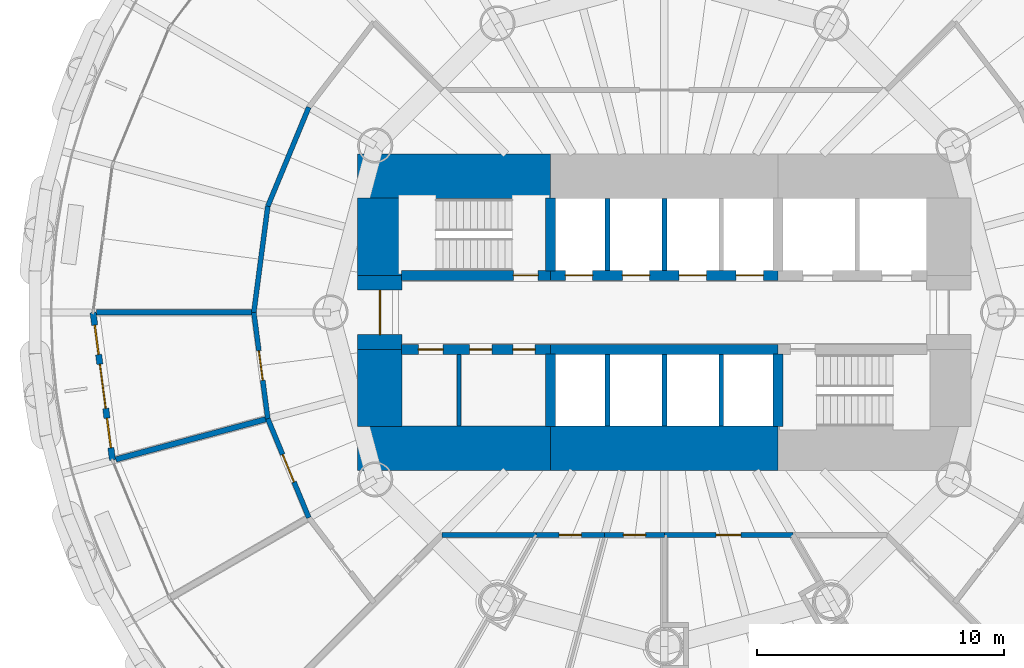
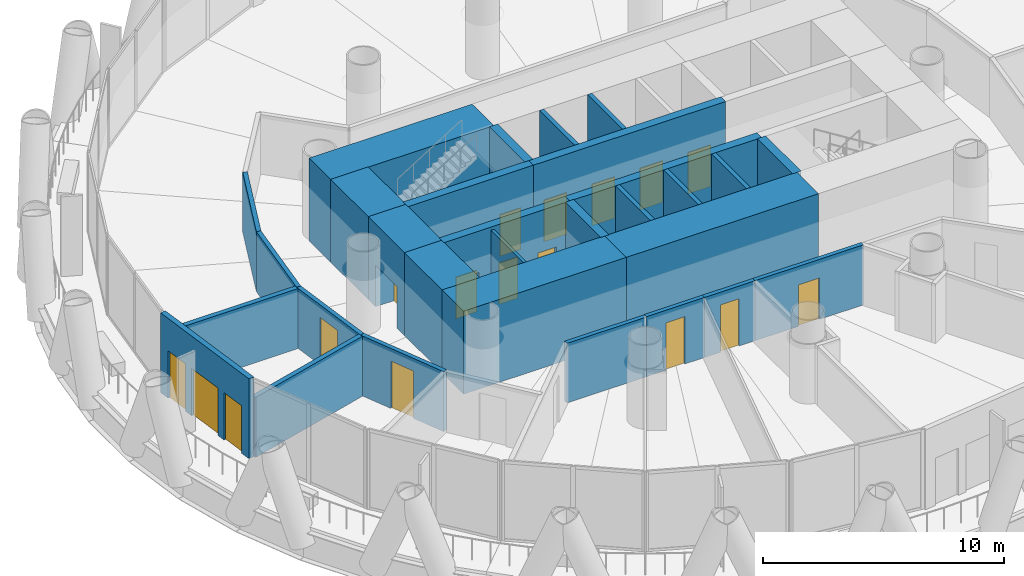
# One storey, part 10 of 16: 30 walls, 15 doors, 2 windows, 17 openings.
"""IFC4 building model written with IfcOpenShell, lengths in metres."""

from ifc_helpers import new_model, si_unit, direction, frame, frame_2d, origin, place, context, subcontext, project, spatial, rectangle, extrude, material, layer, layer_set, type_object, element, fill, save


model = new_model("IFC4")

# Units and contexts
model_context = context("Model", 3, precision=1e-05, world=origin(), true_north=direction((0.0, 1.0)))
body_context = subcontext(model_context, "Body", "Model", "MODEL_VIEW")
ifc_project = project(units=[si_unit("LENGTHUNIT", "METRE"), si_unit("AREAUNIT", "SQUARE_METRE"), si_unit("VOLUMEUNIT", "CUBIC_METRE"), si_unit("PLANEANGLEUNIT", "RADIAN"), si_unit("MASSUNIT", "GRAM", prefix="KILO")], contexts=[model_context])

# Site, building, storey
site_placement = place(None, origin())
site = spatial("IfcSite", under=ifc_project, at=site_placement, CompositionType="ELEMENT")
building_placement = place(site_placement, origin())
building = spatial("IfcBuilding", under=site, at=building_placement, Name="Qaws Media Tower", CompositionType="ELEMENT")
storey_placement = place(building_placement, frame((0.0, 0.0, 80.60009765625)))
storey = spatial("IfcBuildingStorey", under=building, at=storey_placement, Name="L17", CompositionType="ELEMENT", Elevation=80.60009765625)

# Walls
ifc_material_1 = material(Name="Twin metal stud frames, two layers gypsum board each side, insulated, Rw 55", Category="gypsum")
ifc_layer_1 = layer(ifc_material_1, 0.22509765625)
ifc_layer_set_1 = layer_set([ifc_layer_1], Name="Acoustic twin-stud partition 225 Rw 55")
wall_type_1 = type_object("IfcWallType", Name="Acoustic twin-stud partition 225 Rw 55", PredefinedType="PARTITIONING", material=ifc_layer_set_1)
wall_1_placement = place(storey_placement, frame((43.39990234375, 50.0, 0.0), z_axis=(0.0, 0.0, 1.0), x_axis=(-1.0, 0.0, 0.0)))
element("IfcWall", 1, at=wall_1_placement, inside=storey, type_object=wall_type_1, Name="W079 IW6 partition L17", PredefinedType="PARTITIONING", context=body_context, shape_type="SweptSolid", body=[
    extrude(rectangle(XDim=6.35986328125, YDim=0.22509765625, at=frame_2d((3.179931640625, 0.0))), origin(), (0.0, 0.0, 1.0), 3.039794921875),
])
wall_2_placement = place(storey_placement, frame((43.965576171875, 45.70361328125, 0.0), z_axis=(0.0, 0.0, 1.0), x_axis=(-0.965929717932, -0.258804520856, 0.0)))
element("IfcWall", 2, at=wall_2_placement, inside=storey, type_object=wall_type_1, Name="W080 IW6 partition L17", PredefinedType="PARTITIONING", context=body_context, shape_type="SweptSolid", body=[
    extrude(rectangle(XDim=6.360107421875, YDim=0.22509765625, at=frame_2d((3.18017578125, 0.0))), origin(), (0.0, 0.0, 1.0), 3.039794921875),
])

# Wall, openings, door, windows
ifc_material_2 = material(Name="Precast concrete, exposed finish", Category="concrete")
ifc_layer_2 = layer(ifc_material_2, 0.25)
ifc_layer_set_2 = layer_set([ifc_layer_2], Name="Balcony door wall 250")
wall_type_2 = type_object("IfcWallType", Name="Balcony door wall 250", PredefinedType="SOLIDWALL", material=ifc_layer_set_2)
wall_3_placement = place(storey_placement, frame((36.89990234375, 50.0, 0.0), z_axis=(0.0, 0.0, 1.0), x_axis=(0.130524679454, -0.991445060532, 0.0)))
wall_3 = element("IfcWall", 3, at=wall_3_placement, inside=storey, type_object=wall_type_2, Name="W153 EW1 balcony door wall L17-13", PredefinedType="SOLIDWALL", context=body_context, shape_type="SweptSolid", body=[
    extrude(rectangle(XDim=6.0302734375, YDim=0.25, at=frame_2d((3.01513671875, 0.0))), origin(), (0.0, 0.0, 1.0), 4.039794921875),
])
opening_1_placement = place(wall_3_placement, frame((2.115234375, 0.0, 0.0)))
opening_1 = element("IfcOpeningElement", 4, at=opening_1_placement, cuts=wall_3, Name="Opening D7", PredefinedType="OPENING", context=body_context, shape_type="SweptSolid", body=[
    extrude(rectangle(XDim=1.800048828125, YDim=2.39990234375, at=frame_2d((0.89990234375, 1.199951171875))), frame((0.0, 0.135009765625, 0.0), z_axis=(0.0, -1.0, 0.0), x_axis=(1.0, 0.0, 0.0)), (0.0, 0.0, 1.0), 0.27001953125),
])
opening_2_placement = place(wall_3_placement, frame((0.51513671875, 0.0, 0.0)))
opening_2 = element("IfcOpeningElement", 5, at=opening_2_placement, cuts=wall_3, Name="Opening W1", PredefinedType="OPENING", context=body_context, shape_type="SweptSolid", body=[
    extrude(rectangle(XDim=1.199951171875, YDim=2.39990234375, at=frame_2d((0.60009765625, 1.199951171875))), frame((0.0, 0.135009765625, 0.0), z_axis=(0.0, -1.0, 0.0), x_axis=(1.0, 0.0, 0.0)), (0.0, 0.0, 1.0), 0.27001953125),
])
opening_3_placement = place(wall_3_placement, frame((4.315185546875, 0.0, 0.0)))
opening_3 = element("IfcOpeningElement", 6, at=opening_3_placement, cuts=wall_3, Name="Opening W1", PredefinedType="OPENING", context=body_context, shape_type="SweptSolid", body=[
    extrude(rectangle(XDim=1.199951171875, YDim=2.39990234375, at=frame_2d((0.60009765625, 1.199951171875))), frame((0.0, 0.135009765625, 0.0), z_axis=(0.0, -1.0, 0.0), x_axis=(1.0, 0.0, 0.0)), (0.0, 0.0, 1.0), 0.27001953125),
])
ifc_material_3 = material(Name="Aluminium and clear glass", Category="aluminium")
door_type_1 = type_object("IfcDoorType", Name="Balcony door pair 1800", OperationType="DOUBLE_DOOR_SLIDING", PredefinedType="DOOR", material=ifc_material_3)
door_1_placement = place(opening_1_placement, origin())
door_1 = element("IfcDoor", 7, at=door_1_placement, inside=storey, type_object=door_type_1, Name="D7 balcony door L17-13 in wall W153", OperationType="DOUBLE_DOOR_SLIDING", OverallHeight=2.39990234375, OverallWidth=1.800048828125, PredefinedType="DOOR", context=body_context, shape_type="SweptSolid", body=[
    extrude(rectangle(XDim=1.800048828125, YDim=2.39990234375, at=frame_2d((0.89990234375, 1.199951171875))), frame((0.0, 0.02490234375, 0.0), z_axis=(0.0, -1.0, 0.0), x_axis=(1.0, 0.0, 0.0)), (0.0, 0.0, 1.0), 0.050048828125),
])
fill(opening_1, door_1)
ifc_material_4 = material(Name="Aluminium and clear glass", Category="aluminium")
window_type = type_object("IfcWindowType", Name="Balcony side window 1200", PartitioningType="SINGLE_PANEL", PredefinedType="WINDOW", material=ifc_material_4)
window_1_placement = place(opening_2_placement, origin())
window_1 = element("IfcWindow", 8, at=window_1_placement, inside=storey, type_object=window_type, Name="W1 balcony side light L17-13L", OverallHeight=2.39990234375, OverallWidth=1.199951171875, PartitioningType="SINGLE_PANEL", PredefinedType="WINDOW", context=body_context, shape_type="SweptSolid", body=[
    extrude(rectangle(XDim=1.199951171875, YDim=2.39990234375, at=frame_2d((0.60009765625, 1.199951171875))), frame((0.0, 0.030029296875, 0.0), z_axis=(0.0, -1.0, 0.0), x_axis=(1.0, 0.0, 0.0)), (0.0, 0.0, 1.0), 0.06005859375),
])
fill(opening_2, window_1)
window_2_placement = place(opening_3_placement, origin())
window_2 = element("IfcWindow", 9, at=window_2_placement, inside=storey, type_object=window_type, Name="W1 balcony side light L17-13R", OverallHeight=2.39990234375, OverallWidth=1.199951171875, PartitioningType="SINGLE_PANEL", PredefinedType="WINDOW", context=body_context, shape_type="SweptSolid", body=[
    extrude(rectangle(XDim=1.199951171875, YDim=2.39990234375, at=frame_2d((0.60009765625, 1.199951171875))), frame((0.0, 0.030029296875, 0.0), z_axis=(0.0, -1.0, 0.0), x_axis=(1.0, 0.0, 0.0)), (0.0, 0.0, 1.0), 0.06005859375),
])
fill(opening_3, window_2)

# Wall, opening, door
ifc_material_5 = material(Name="Concrete C60/75", Category="concrete")
ifc_layer_3 = layer(ifc_material_5, 0.39990234375)
ifc_layer_set_3 = layer_set([ifc_layer_3], Name="Core inner wall 400")
wall_type_3 = type_object("IfcWallType", Name="Core inner wall 400", PredefinedType="SHEAR", material=ifc_layer_set_3)
wall_4_placement = place(storey_placement, frame((49.3798828125, 51.5, 0.0), z_axis=(0.0, 0.0, 1.0), x_axis=(1.0, 0.0, 0.0)))
wall_4 = element("IfcWall", 10, at=wall_4_placement, inside=storey, type_object=wall_type_3, Name="W311 SW4 core wall SPNW L17", PredefinedType="SHEAR", context=body_context, shape_type="SweptSolid", body=[
    extrude(rectangle(XDim=6.02001953125, YDim=0.39990234375, at=frame_2d((3.010009765625, 0.0))), origin(), (0.0, 0.0, 1.0), 4.199951171875),
])
opening_4_placement = place(wall_4_placement, frame((4.52001953125, 0.0, 0.0)))
opening_4 = element("IfcOpeningElement", 11, at=opening_4_placement, cuts=wall_4, Name="Opening D1", PredefinedType="OPENING", context=body_context, shape_type="SweptSolid", body=[
    extrude(rectangle(XDim=1.0, YDim=2.10009765625, at=frame_2d((0.5, 1.050048828125))), frame((0.0, 0.2099609375, 0.0), z_axis=(0.0, -1.0, 0.0), x_axis=(1.0, 0.0, 0.0)), (0.0, 0.0, 1.0), 0.419921875),
])
ifc_material_6 = material(Name="Steel, fire rated", Category="steel")
door_type_2 = type_object("IfcDoorType", Name="Stair door 1000 FD120", OperationType="SINGLE_SWING_LEFT", PredefinedType="DOOR", material=ifc_material_6)
door_2_placement = place(opening_4_placement, origin())
door_2 = element("IfcDoor", 12, at=door_2_placement, inside=storey, type_object=door_type_2, Name="D1 stair S1 door L17 in wall W311", OperationType="SINGLE_SWING_LEFT", OverallHeight=2.10009765625, OverallWidth=1.0, PredefinedType="DOOR", context=body_context, shape_type="SweptSolid", body=[
    extrude(rectangle(XDim=1.0, YDim=2.10009765625, at=frame_2d((0.5, 1.050048828125))), frame((0.0, 0.02490234375, 0.0), z_axis=(0.0, -1.0, 0.0), x_axis=(1.0, 0.0, 0.0)), (0.0, 0.0, 1.0), 0.050048828125),
])
fill(opening_4, door_2)

# Wall, openings, doors
wall_5_placement = place(storey_placement, frame((55.39990234375, 51.5, 0.0), z_axis=(0.0, 0.0, 1.0), x_axis=(1.0, 0.0, 0.0)))
wall_5 = element("IfcWall", 13, at=wall_5_placement, inside=storey, type_object=wall_type_3, Name="W314 SW4 core wall SPN L17", PredefinedType="SHEAR", context=body_context, shape_type="SweptSolid", body=[
    extrude(rectangle(XDim=9.2001953125, YDim=0.39990234375, at=frame_2d((4.60009765625, 0.0))), origin(), (0.0, 0.0, 1.0), 4.199951171875),
])
opening_5_placement = place(wall_5_placement, frame((0.60009765625, 0.0, 0.0)))
opening_5 = element("IfcOpeningElement", 14, at=opening_5_placement, cuts=wall_5, Name="Opening LD", PredefinedType="OPENING", context=body_context, shape_type="SweptSolid", body=[
    extrude(rectangle(XDim=1.10009765625, YDim=2.10009765625, at=frame_2d((0.550048828125, 1.050048828125))), frame((0.0, 0.2099609375, 0.0), z_axis=(0.0, -1.0, 0.0), x_axis=(1.0, 0.0, 0.0)), (0.0, 0.0, 1.0), 0.419921875),
])
opening_6_placement = place(wall_5_placement, frame((2.89990234375, 0.0, 0.0)))
opening_6 = element("IfcOpeningElement", 15, at=opening_6_placement, cuts=wall_5, Name="Opening LD", PredefinedType="OPENING", context=body_context, shape_type="SweptSolid", body=[
    extrude(rectangle(XDim=1.10009765625, YDim=2.10009765625, at=frame_2d((0.550048828125, 1.050048828125))), frame((0.0, 0.2099609375, 0.0), z_axis=(0.0, -1.0, 0.0), x_axis=(1.0, 0.0, 0.0)), (0.0, 0.0, 1.0), 0.419921875),
])
opening_7_placement = place(wall_5_placement, frame((5.199951171875, 0.0, 0.0)))
opening_7 = element("IfcOpeningElement", 16, at=opening_7_placement, cuts=wall_5, Name="Opening LD", PredefinedType="OPENING", context=body_context, shape_type="SweptSolid", body=[
    extrude(rectangle(XDim=1.10009765625, YDim=2.10009765625, at=frame_2d((0.550048828125, 1.050048828125))), frame((0.0, 0.2099609375, 0.0), z_axis=(0.0, -1.0, 0.0), x_axis=(1.0, 0.0, 0.0)), (0.0, 0.0, 1.0), 0.419921875),
])
opening_8_placement = place(wall_5_placement, frame((7.5, 0.0, 0.0)))
opening_8 = element("IfcOpeningElement", 17, at=opening_8_placement, cuts=wall_5, Name="Opening LD", PredefinedType="OPENING", context=body_context, shape_type="SweptSolid", body=[
    extrude(rectangle(XDim=1.10009765625, YDim=2.10009765625, at=frame_2d((0.550048828125, 1.050048828125))), frame((0.0, 0.2099609375, 0.0), z_axis=(0.0, -1.0, 0.0), x_axis=(1.0, 0.0, 0.0)), (0.0, 0.0, 1.0), 0.419921875),
])
ifc_material_7 = material(Name="Steel, fire rated", Category="steel")
door_type_3 = type_object("IfcDoorType", Name="Lift landing door 1100", OperationType="SLIDING_TO_LEFT", PredefinedType="DOOR", material=ifc_material_7)
door_3_placement = place(opening_5_placement, origin())
door_3 = element("IfcDoor", 18, at=door_3_placement, inside=storey, type_object=door_type_3, Name="P1 landing door L17 in wall W314", OperationType="SLIDING_TO_LEFT", OverallHeight=2.10009765625, OverallWidth=1.10009765625, PredefinedType="DOOR", context=body_context, shape_type="SweptSolid", body=[
    extrude(rectangle(XDim=1.10009765625, YDim=2.10009765625, at=frame_2d((0.550048828125, 1.050048828125))), frame((0.0, 0.02490234375, 0.0), z_axis=(0.0, -1.0, 0.0), x_axis=(1.0, 0.0, 0.0)), (0.0, 0.0, 1.0), 0.050048828125),
])
fill(opening_5, door_3)
door_4_placement = place(opening_6_placement, origin())
door_4 = element("IfcDoor", 19, at=door_4_placement, inside=storey, type_object=door_type_3, Name="P2 landing door L17 in wall W314", OperationType="SLIDING_TO_LEFT", OverallHeight=2.10009765625, OverallWidth=1.10009765625, PredefinedType="DOOR", context=body_context, shape_type="SweptSolid", body=[
    extrude(rectangle(XDim=1.10009765625, YDim=2.10009765625, at=frame_2d((0.550048828125, 1.050048828125))), frame((0.0, 0.02490234375, 0.0), z_axis=(0.0, -1.0, 0.0), x_axis=(1.0, 0.0, 0.0)), (0.0, 0.0, 1.0), 0.050048828125),
])
fill(opening_6, door_4)
door_5_placement = place(opening_7_placement, origin())
door_5 = element("IfcDoor", 20, at=door_5_placement, inside=storey, type_object=door_type_3, Name="P3 landing door L17 in wall W314", OperationType="SLIDING_TO_LEFT", OverallHeight=2.10009765625, OverallWidth=1.10009765625, PredefinedType="DOOR", context=body_context, shape_type="SweptSolid", body=[
    extrude(rectangle(XDim=1.10009765625, YDim=2.10009765625, at=frame_2d((0.550048828125, 1.050048828125))), frame((0.0, 0.02490234375, 0.0), z_axis=(0.0, -1.0, 0.0), x_axis=(1.0, 0.0, 0.0)), (0.0, 0.0, 1.0), 0.050048828125),
])
fill(opening_7, door_5)
door_6_placement = place(opening_8_placement, origin())
door_6 = element("IfcDoor", 21, at=door_6_placement, inside=storey, type_object=door_type_3, Name="P4 landing door L17 in wall W314", OperationType="SLIDING_TO_LEFT", OverallHeight=2.10009765625, OverallWidth=1.10009765625, PredefinedType="DOOR", context=body_context, shape_type="SweptSolid", body=[
    extrude(rectangle(XDim=1.10009765625, YDim=2.10009765625, at=frame_2d((0.550048828125, 1.050048828125))), frame((0.0, 0.02490234375, 0.0), z_axis=(0.0, -1.0, 0.0), x_axis=(1.0, 0.0, 0.0)), (0.0, 0.0, 1.0), 0.050048828125),
])
fill(opening_8, door_6)

wall_6_placement = place(storey_placement, frame((49.3798828125, 48.5, 0.0), z_axis=(0.0, 0.0, 1.0), x_axis=(1.0, 0.0, 0.0)))
wall_6 = element("IfcWall", 22, at=wall_6_placement, inside=storey, type_object=wall_type_3, Name="W310 SW4 core wall SPSW L17", PredefinedType="SHEAR", context=body_context, shape_type="SweptSolid", body=[
    extrude(rectangle(XDim=6.02001953125, YDim=0.39990234375, at=frame_2d((3.010009765625, 0.0))), origin(), (0.0, 0.0, 1.0), 4.199951171875),
])
opening_9_placement = place(wall_6_placement, frame((0.669921875, 0.0, 0.0)))
opening_9 = element("IfcOpeningElement", 23, at=opening_9_placement, cuts=wall_6, Name="Opening D4", PredefinedType="OPENING", context=body_context, shape_type="SweptSolid", body=[
    extrude(rectangle(XDim=1.0, YDim=2.10009765625, at=frame_2d((0.5, 1.050048828125))), frame((0.0, 0.2099609375, 0.0), z_axis=(0.0, -1.0, 0.0), x_axis=(1.0, 0.0, 0.0)), (0.0, 0.0, 1.0), 0.419921875),
])
opening_10_placement = place(wall_6_placement, frame((2.7451171875, 0.0, 0.0)))
opening_10 = element("IfcOpeningElement", 24, at=opening_10_placement, cuts=wall_6, Name="Opening D3", PredefinedType="OPENING", context=body_context, shape_type="SweptSolid", body=[
    extrude(rectangle(XDim=0.89990234375, YDim=2.10009765625, at=frame_2d((0.449951171875, 1.050048828125))), frame((0.0, 0.2099609375, 0.0), z_axis=(0.0, -1.0, 0.0), x_axis=(1.0, 0.0, 0.0)), (0.0, 0.0, 1.0), 0.419921875),
])
opening_11_placement = place(wall_6_placement, frame((4.4951171875, 0.0, 0.0)))
opening_11 = element("IfcOpeningElement", 25, at=opening_11_placement, cuts=wall_6, Name="Opening D3", PredefinedType="OPENING", context=body_context, shape_type="SweptSolid", body=[
    extrude(rectangle(XDim=0.89990234375, YDim=2.10009765625, at=frame_2d((0.449951171875, 1.050048828125))), frame((0.0, 0.2099609375, 0.0), z_axis=(0.0, -1.0, 0.0), x_axis=(1.0, 0.0, 0.0)), (0.0, 0.0, 1.0), 0.419921875),
])
ifc_material_8 = material(Name="Timber veneered", Category="wood")
door_type_4 = type_object("IfcDoorType", Name="Accessible WC door 1000", OperationType="SLIDING_TO_LEFT", PredefinedType="DOOR", material=ifc_material_8)
door_7_placement = place(opening_9_placement, origin())
door_7 = element("IfcDoor", 26, at=door_7_placement, inside=storey, type_object=door_type_4, Name="D4 toilet door 1 L17 in wall W310", OperationType="SLIDING_TO_LEFT", OverallHeight=2.10009765625, OverallWidth=1.0, PredefinedType="DOOR", context=body_context, shape_type="SweptSolid", body=[
    extrude(rectangle(XDim=1.0, YDim=2.10009765625, at=frame_2d((0.5, 1.050048828125))), frame((0.0, 0.02490234375, 0.0), z_axis=(0.0, -1.0, 0.0), x_axis=(1.0, 0.0, 0.0)), (0.0, 0.0, 1.0), 0.050048828125),
])
fill(opening_9, door_7)
ifc_material_9 = material(Name="Timber veneered", Category="wood")
door_type_5 = type_object("IfcDoorType", Name="Toilet door 900", OperationType="SINGLE_SWING_RIGHT", PredefinedType="DOOR", material=ifc_material_9)
door_8_placement = place(opening_10_placement, origin())
door_8 = element("IfcDoor", 27, at=door_8_placement, inside=storey, type_object=door_type_5, Name="D3 toilet door 2 L17 in wall W310", OperationType="SINGLE_SWING_RIGHT", OverallHeight=2.10009765625, OverallWidth=0.89990234375, PredefinedType="DOOR", context=body_context, shape_type="SweptSolid", body=[
    extrude(rectangle(XDim=0.89990234375, YDim=2.10009765625, at=frame_2d((0.449951171875, 1.050048828125))), frame((0.0, 0.02490234375, 0.0), z_axis=(0.0, -1.0, 0.0), x_axis=(1.0, 0.0, 0.0)), (0.0, 0.0, 1.0), 0.050048828125),
])
fill(opening_10, door_8)
door_9_placement = place(opening_11_placement, origin())
door_9 = element("IfcDoor", 28, at=door_9_placement, inside=storey, type_object=door_type_5, Name="D3 toilet door 3 L17 in wall W310", OperationType="SINGLE_SWING_RIGHT", OverallHeight=2.10009765625, OverallWidth=0.89990234375, PredefinedType="DOOR", context=body_context, shape_type="SweptSolid", body=[
    extrude(rectangle(XDim=0.89990234375, YDim=2.10009765625, at=frame_2d((0.449951171875, 1.050048828125))), frame((0.0, 0.02490234375, 0.0), z_axis=(0.0, -1.0, 0.0), x_axis=(1.0, 0.0, 0.0)), (0.0, 0.0, 1.0), 0.050048828125),
])
fill(opening_11, door_9)

# Walls
wall_7_placement = place(storey_placement, frame((55.39990234375, 48.5, 0.0), z_axis=(0.0, 0.0, 1.0), x_axis=(1.0, 0.0, 0.0)))
element("IfcWall", 29, at=wall_7_placement, inside=storey, type_object=wall_type_3, Name="W313 SW4 core wall SPS L17", PredefinedType="SHEAR", context=body_context, shape_type="SweptSolid", body=[
    extrude(rectangle(XDim=9.2001953125, YDim=0.39990234375, at=frame_2d((4.60009765625, 0.0))), origin(), (0.0, 0.0, 1.0), 4.199951171875),
])
for number, where, z_axis, x_axis, name in (
    (30, (55.39990234375, 51.679931640625, 0.0), (0.0, 0.0, 1.0), (0.0, 1.0, 0.0), "W315 SW4 core wall XNW L17"),
    (31, (55.39990234375, 48.320068359375, 0.0), (0.0, 0.0, 1.0), (0.0, -1.0, 0.0), "W312 SW4 core wall XSW L17"),
    (32, (64.60009765625, 48.320068359375, 0.0), (0.0, 0.0, 1.0), (0.0, -1.0, 0.0), "W316 SW4 core wall XSE L17"),
):
    element("IfcWall", number, at=place(storey_placement, frame(where, z_axis=z_axis, x_axis=x_axis)), inside=storey, type_object=wall_type_3, Name=name, PredefinedType="SHEAR", context=body_context, shape_type="SweptSolid", body=[
        extrude(rectangle(XDim=2.940185546875, YDim=0.39990234375, at=frame_2d((1.47021484375, 0.0))), origin(), (0.0, 0.0, 1.0), 4.199951171875),
    ])
ifc_material_10 = material(Name="Concrete C60/75", Category="concrete")
ifc_layer_4 = layer(ifc_material_10, 1.800048828125)
ifc_layer_set_4 = layer_set([ifc_layer_4], Name="Core wall 1800")
wall_type_4 = type_object("IfcWallType", Name="Core wall 1800", PredefinedType="SHEAR", material=ifc_layer_set_4)
for number, where, z_axis, x_axis, name in (
    (33, (47.60009765625, 55.5, 0.0), (0.0, 0.0, 1.0), (1.0, 0.0, 0.0), "W399 SW11 core wall NW L17"),
    (34, (47.60009765625, 44.5, 0.0), (0.0, 0.0, 1.0), (1.0, 0.0, 0.0), "W398 SW11 core wall SW L17"),
):
    element("IfcWall", number, at=place(storey_placement, frame(where, z_axis=z_axis, x_axis=x_axis)), inside=storey, type_object=wall_type_4, Name=name, PredefinedType="SHEAR", context=body_context, shape_type="SweptSolid", body=[
        extrude(rectangle(XDim=7.7998046875, YDim=1.800048828125, at=frame_2d((3.89990234375, 0.0))), origin(), (0.0, 0.0, 1.0), 4.199951171875),
    ])
wall_8_placement = place(storey_placement, frame((55.39990234375, 44.5, 0.0), z_axis=(0.0, 0.0, 1.0), x_axis=(1.0, 0.0, 0.0)))
element("IfcWall", 35, at=wall_8_placement, inside=storey, type_object=wall_type_4, Name="W403 SW11 core wall S L17", PredefinedType="SHEAR", context=body_context, shape_type="SweptSolid", body=[
    extrude(rectangle(XDim=9.2001953125, YDim=1.800048828125, at=frame_2d((4.60009765625, 0.0))), origin(), (0.0, 0.0, 1.0), 4.199951171875),
])
wall_9_placement = place(storey_placement, frame((48.5, 45.3798828125, 0.0), z_axis=(0.0, 0.0, 1.0), x_axis=(0.0, 1.0, 0.0)))
element("IfcWall", 36, at=wall_9_placement, inside=storey, type_object=wall_type_4, Name="W400 SW11 core wall WS L17", PredefinedType="SHEAR", context=body_context, shape_type="SweptSolid", body=[
    extrude(rectangle(XDim=3.1201171875, YDim=1.800048828125, at=frame_2d((1.56005859375, 0.0))), origin(), (0.0, 0.0, 1.0), 4.199951171875),
])

# Wall, opening, door
wall_10_placement = place(storey_placement, frame((48.5, 48.5, 0.0), z_axis=(0.0, 0.0, 1.0), x_axis=(0.0, 1.0, 0.0)))
wall_10 = element("IfcWall", 37, at=wall_10_placement, inside=storey, type_object=wall_type_4, Name="W401 SW11 core wall W L17", PredefinedType="SHEAR", context=body_context, shape_type="SweptSolid", body=[
    extrude(rectangle(XDim=3.0, YDim=1.800048828125, at=frame_2d((1.5, 0.0))), origin(), (0.0, 0.0, 1.0), 4.199951171875),
])
opening_12_placement = place(wall_10_placement, frame((0.60009765625, 0.0, 0.0)))
opening_12 = element("IfcOpeningElement", 38, at=opening_12_placement, cuts=wall_10, Name="Opening D2", PredefinedType="OPENING", context=body_context, shape_type="SweptSolid", body=[
    extrude(rectangle(XDim=1.800048828125, YDim=2.10009765625, at=frame_2d((0.89990234375, 1.050048828125))), frame((0.0, 0.909912109375, 0.0), z_axis=(0.0, -1.0, 0.0), x_axis=(1.0, 0.0, 0.0)), (0.0, 0.0, 1.0), 1.820068359375),
])
ifc_material_11 = material(Name="Steel and glass, fire rated", Category="steel")
door_type_6 = type_object("IfcDoorType", Name="Lobby door pair 1800 FD60", OperationType="DOUBLE_DOOR_DOUBLE_SWING", PredefinedType="DOOR", material=ifc_material_11)
door_10_placement = place(opening_12_placement, origin())
door_10 = element("IfcDoor", 39, at=door_10_placement, inside=storey, type_object=door_type_6, Name="D2 core lobby door W L17 in wall W401", OperationType="DOUBLE_DOOR_DOUBLE_SWING", OverallHeight=2.10009765625, OverallWidth=1.800048828125, PredefinedType="DOOR", context=body_context, shape_type="SweptSolid", body=[
    extrude(rectangle(XDim=1.800048828125, YDim=2.10009765625, at=frame_2d((0.89990234375, 1.050048828125))), frame((0.0, 0.02490234375, 0.0), z_axis=(0.0, -1.0, 0.0), x_axis=(1.0, 0.0, 0.0)), (0.0, 0.0, 1.0), 0.050048828125),
])
fill(opening_12, door_10)

# Wall
wall_11_placement = place(storey_placement, frame((48.5, 51.5, 0.0), z_axis=(0.0, 0.0, 1.0), x_axis=(0.0, 1.0, 0.0)))
element("IfcWall", 40, at=wall_11_placement, inside=storey, type_object=wall_type_4, Name="W402 SW11 core wall WN L17", PredefinedType="SHEAR", context=body_context, shape_type="SweptSolid", body=[
    extrude(rectangle(XDim=3.1201171875, YDim=1.800048828125, at=frame_2d((1.56005859375, 0.0))), origin(), (0.0, 0.0, 1.0), 4.199951171875),
])

# Wall, opening, door
ifc_material_12 = material(Name="Gypsum board on galvanised metal studs, acoustic double stud, deflection head", Category="gypsum")
ifc_layer_5 = layer(ifc_material_12, 0.199951171875)
ifc_layer_set_5 = layer_set([ifc_layer_5], Name="Room partition 200")
wall_type_5 = type_object("IfcWallType", Name="Room partition 200", PredefinedType="PARTITIONING", material=ifc_layer_set_5)
wall_12_placement = place(storey_placement, frame((45.6240234375, 41.699951171875, 0.0), z_axis=(0.0, 0.0, 1.0), x_axis=(-0.382698425325, 0.923873322082, 0.0)))
wall_12 = element("IfcWall", 41, at=wall_12_placement, inside=storey, type_object=wall_type_5, Name="W991 IW3 partition L17", PredefinedType="PARTITIONING", context=body_context, shape_type="SweptSolid", body=[
    extrude(rectangle(XDim=4.33349609375, YDim=0.199951171875, at=frame_2d((2.166748046875, 0.0))), origin(), (0.0, 0.0, 1.0), 3.039794921875),
])
opening_13_placement = place(wall_12_placement, frame((1.566650390625, 0.0, 0.0)))
opening_13 = element("IfcOpeningElement", 42, at=opening_13_placement, cuts=wall_12, Name="Opening D14", PredefinedType="OPENING", context=body_context, shape_type="SweptSolid", body=[
    extrude(rectangle(XDim=1.199951171875, YDim=2.39990234375, at=frame_2d((0.60009765625, 1.199951171875))), frame((0.0, 0.10986328125, 0.0), z_axis=(0.0, -1.0, 0.0), x_axis=(1.0, 0.0, 0.0)), (0.0, 0.0, 1.0), 0.219970703125),
])
ifc_material_13 = material(Name="Steel acoustic door set, Rw 45", Category="steel")
door_type_7 = type_object("IfcDoorType", Name="Acoustic door 1200x2400 Rw 45", OperationType="SINGLE_SWING_LEFT", PredefinedType="DOOR", material=ifc_material_13)
door_11_placement = place(opening_13_placement, origin())
door_11 = element("IfcDoor", 43, at=door_11_placement, inside=storey, type_object=door_type_7, Name="D14 Translation booth door L17 in wall W991", OperationType="SINGLE_SWING_LEFT", OverallHeight=2.39990234375, OverallWidth=1.199951171875, PredefinedType="DOOR", context=body_context, shape_type="SweptSolid", body=[
    extrude(rectangle(XDim=1.199951171875, YDim=2.39990234375, at=frame_2d((0.60009765625, 1.199951171875))), frame((0.0, 0.02490234375, 0.0), z_axis=(0.0, -1.0, 0.0), x_axis=(1.0, 0.0, 0.0)), (0.0, 0.0, 1.0), 0.050048828125),
])
fill(opening_13, door_11)

wall_13_placement = place(storey_placement, frame((43.965576171875, 45.70361328125, 0.0), z_axis=(0.0, 0.0, 1.0), x_axis=(-0.130536124221, 0.99144355375, 0.0)))
wall_13 = element("IfcWall", 44, at=wall_13_placement, inside=storey, type_object=wall_type_5, Name="W987 IW3 partition L17", PredefinedType="PARTITIONING", context=body_context, shape_type="SweptSolid", body=[
    extrude(rectangle(XDim=4.33349609375, YDim=0.199951171875, at=frame_2d((2.166748046875, 0.0))), origin(), (0.0, 0.0, 1.0), 3.039794921875),
])
opening_14_placement = place(wall_13_placement, frame((1.566650390625, 0.0, 0.0)))
opening_14 = element("IfcOpeningElement", 45, at=opening_14_placement, cuts=wall_13, Name="Opening D14", PredefinedType="OPENING", context=body_context, shape_type="SweptSolid", body=[
    extrude(rectangle(XDim=1.199951171875, YDim=2.39990234375, at=frame_2d((0.60009765625, 1.199951171875))), frame((0.0, 0.10986328125, 0.0), z_axis=(0.0, -1.0, 0.0), x_axis=(1.0, 0.0, 0.0)), (0.0, 0.0, 1.0), 0.219970703125),
])
door_12_placement = place(opening_14_placement, origin())
door_12 = element("IfcDoor", 46, at=door_12_placement, inside=storey, type_object=door_type_7, Name="D14 Translation booth door L17 in wall W987", OperationType="SINGLE_SWING_LEFT", OverallHeight=2.39990234375, OverallWidth=1.199951171875, PredefinedType="DOOR", context=body_context, shape_type="SweptSolid", body=[
    extrude(rectangle(XDim=1.199951171875, YDim=2.39990234375, at=frame_2d((0.60009765625, 1.199951171875))), frame((0.0, 0.02490234375, 0.0), z_axis=(0.0, -1.0, 0.0), x_axis=(1.0, 0.0, 0.0)), (0.0, 0.0, 1.0), 0.050048828125),
])
fill(opening_14, door_12)

# Walls
for number, where, z_axis, x_axis, name in (
    (47, (43.39990234375, 50.0, 0.0), (0.0, 0.0, 1.0), (0.130536124221, 0.99144355375, 0.0), "W985 IW3 partition L17"),
    (48, (43.965576171875, 54.29638671875, 0.0), (0.0, 0.0, 1.0), (0.382698425325, 0.923873322082, 0.0), "W989 IW3 partition L17"),
):
    element("IfcWall", number, at=place(storey_placement, frame(where, z_axis=z_axis, x_axis=x_axis)), inside=storey, type_object=wall_type_5, Name=name, PredefinedType="PARTITIONING", context=body_context, shape_type="SweptSolid", body=[
        extrude(rectangle(XDim=4.33349609375, YDim=0.199951171875, at=frame_2d((2.166748046875, 0.0))), origin(), (0.0, 0.0, 1.0), 3.039794921875),
    ])

# Wall, opening, door
wall_14_placement = place(storey_placement, frame((65.1962890625, 41.0, 0.0), z_axis=(0.0, 0.0, 1.0), x_axis=(-1.0, 0.0, 0.0)))
wall_14 = element("IfcWall", 49, at=wall_14_placement, inside=storey, type_object=wall_type_5, Name="W1103 IW3 partition L17", PredefinedType="PARTITIONING", context=body_context, shape_type="SweptSolid", body=[
    extrude(rectangle(XDim=5.1962890625, YDim=0.199951171875, at=frame_2d((2.59814453125, 0.0))), origin(), (0.0, 0.0, 1.0), 3.039794921875),
])
opening_15_placement = place(wall_14_placement, frame((2.09814453125, 0.0, 0.0)))
opening_15 = element("IfcOpeningElement", 50, at=opening_15_placement, cuts=wall_14, Name="Opening D5", PredefinedType="OPENING", context=body_context, shape_type="SweptSolid", body=[
    extrude(rectangle(XDim=1.0, YDim=2.10009765625, at=frame_2d((0.5, 1.050048828125))), frame((0.0, 0.10986328125, 0.0), z_axis=(0.0, -1.0, 0.0), x_axis=(1.0, 0.0, 0.0)), (0.0, 0.0, 1.0), 0.219970703125),
])
ifc_material_14 = material(Name="Timber veneered, acoustic seal", Category="wood")
door_type_8 = type_object("IfcDoorType", Name="Room door 1000", OperationType="SINGLE_SWING_LEFT", PredefinedType="DOOR", material=ifc_material_14)
door_13_placement = place(opening_15_placement, origin())
door_13 = element("IfcDoor", 51, at=door_13_placement, inside=storey, type_object=door_type_8, Name="D5 Satellite booking office door L17 in wall W1103", OperationType="SINGLE_SWING_LEFT", OverallHeight=2.10009765625, OverallWidth=1.0, PredefinedType="DOOR", context=body_context, shape_type="SweptSolid", body=[
    extrude(rectangle(XDim=1.0, YDim=2.10009765625, at=frame_2d((0.5, 1.050048828125))), frame((0.0, 0.02490234375, 0.0), z_axis=(0.0, -1.0, 0.0), x_axis=(1.0, 0.0, 0.0)), (0.0, 0.0, 1.0), 0.050048828125),
])
fill(opening_15, door_13)

wall_15_placement = place(storey_placement, frame((60.0, 41.0, 0.0), z_axis=(0.0, 0.0, 1.0), x_axis=(-1.0, 0.0, 0.0)))
wall_15 = element("IfcWall", 52, at=wall_15_placement, inside=storey, type_object=wall_type_5, Name="W1101 IW3 partition L17", PredefinedType="PARTITIONING", context=body_context, shape_type="SweptSolid", body=[
    extrude(rectangle(XDim=2.41162109375, YDim=0.199951171875, at=frame_2d((1.205810546875, 0.0))), origin(), (0.0, 0.0, 1.0), 3.039794921875),
])
opening_16_placement = place(wall_15_placement, frame((0.755859375, 0.0, 0.0)))
opening_16 = element("IfcOpeningElement", 53, at=opening_16_placement, cuts=wall_15, Name="Opening D12", PredefinedType="OPENING", context=body_context, shape_type="SweptSolid", body=[
    extrude(rectangle(XDim=0.89990234375, YDim=2.39990234375, at=frame_2d((0.449951171875, 1.199951171875))), frame((0.0, 0.10986328125, 0.0), z_axis=(0.0, -1.0, 0.0), x_axis=(1.0, 0.0, 0.0)), (0.0, 0.0, 1.0), 0.219970703125),
])
ifc_material_15 = material(Name="Timber veneered, full height", Category="wood")
door_type_9 = type_object("IfcDoorType", Name="Office door 900x2400", OperationType="SINGLE_SWING_LEFT", PredefinedType="DOOR", material=ifc_material_15)
door_14_placement = place(opening_16_placement, origin())
door_14 = element("IfcDoor", 54, at=door_14_placement, inside=storey, type_object=door_type_9, Name="D12 Editor's office door L17 in wall W1101", OperationType="SINGLE_SWING_LEFT", OverallHeight=2.39990234375, OverallWidth=0.89990234375, PredefinedType="DOOR", context=body_context, shape_type="SweptSolid", body=[
    extrude(rectangle(XDim=0.89990234375, YDim=2.39990234375, at=frame_2d((0.449951171875, 1.199951171875))), frame((0.0, 0.02490234375, 0.0), z_axis=(0.0, -1.0, 0.0), x_axis=(1.0, 0.0, 0.0)), (0.0, 0.0, 1.0), 0.050048828125),
])
fill(opening_16, door_14)

wall_16_placement = place(storey_placement, frame((57.58837890625, 41.0, 0.0), z_axis=(0.0, 0.0, 1.0), x_axis=(-1.0, 0.0, 0.0)))
wall_16 = element("IfcWall", 55, at=wall_16_placement, inside=storey, type_object=wall_type_5, Name="W1099 IW3 partition L17", PredefinedType="PARTITIONING", context=body_context, shape_type="SweptSolid", body=[
    extrude(rectangle(XDim=2.78466796875, YDim=0.199951171875, at=frame_2d((1.392333984375, 0.0))), origin(), (0.0, 0.0, 1.0), 3.039794921875),
])
opening_17_placement = place(wall_16_placement, frame((0.9423828125, 0.0, 0.0)))
opening_17 = element("IfcOpeningElement", 56, at=opening_17_placement, cuts=wall_16, Name="Opening D12", PredefinedType="OPENING", context=body_context, shape_type="SweptSolid", body=[
    extrude(rectangle(XDim=0.89990234375, YDim=2.39990234375, at=frame_2d((0.449951171875, 1.199951171875))), frame((0.0, 0.10986328125, 0.0), z_axis=(0.0, -1.0, 0.0), x_axis=(1.0, 0.0, 0.0)), (0.0, 0.0, 1.0), 0.219970703125),
])
door_15_placement = place(opening_17_placement, origin())
door_15 = element("IfcDoor", 57, at=door_15_placement, inside=storey, type_object=door_type_9, Name="D12 Editor's office door L17 in wall W1099", OperationType="SINGLE_SWING_LEFT", OverallHeight=2.39990234375, OverallWidth=0.89990234375, PredefinedType="DOOR", context=body_context, shape_type="SweptSolid", body=[
    extrude(rectangle(XDim=0.89990234375, YDim=2.39990234375, at=frame_2d((0.449951171875, 1.199951171875))), frame((0.0, 0.02490234375, 0.0), z_axis=(0.0, -1.0, 0.0), x_axis=(1.0, 0.0, 0.0)), (0.0, 0.0, 1.0), 0.050048828125),
])
fill(opening_17, door_15)

# Walls
wall_17_placement = place(storey_placement, frame((54.8037109375, 41.0, 0.0), z_axis=(0.0, 0.0, 1.0), x_axis=(-1.0, 0.0, 0.0)))
element("IfcWall", 58, at=wall_17_placement, inside=storey, type_object=wall_type_5, Name="W997 IW3 partition L17", PredefinedType="PARTITIONING", context=body_context, shape_type="SweptSolid", body=[
    extrude(rectangle(XDim=3.8037109375, YDim=0.199951171875, at=frame_2d((1.90185546875, 0.0))), origin(), (0.0, 0.0, 1.0), 3.02001953125),
])
ifc_material_16 = material(Name="Fire-rated gypsum board shaft wall on galvanised metal studs, deflection head", Category="gypsum")
ifc_layer_6 = layer(ifc_material_16, 0.199951171875)
ifc_layer_set_6 = layer_set([ifc_layer_6], Name="Shaft wall 200")
wall_type_6 = type_object("IfcWallType", Name="Shaft wall 200", PredefinedType="PARTITIONING", material=ifc_layer_set_6)
for number, where, z_axis, x_axis, name in (
    (59, (57.699951171875, 51.699951171875, 0.0), (0.0, 0.0, 1.0), (0.0, 1.0, 0.0), "W1842 IW1 shaft wall N1 L17"),
    (60, (60.0, 51.699951171875, 0.0), (0.0, 0.0, 1.0), (0.0, 1.0, 0.0), "W1843 IW1 shaft wall N2 L17"),
    (61, (57.699951171875, 45.39990234375, 0.0), (0.0, 0.0, 1.0), (0.0, 1.0, 0.0), "W1835 IW1 shaft wall S1 L17"),
    (62, (60.0, 45.39990234375, 0.0), (0.0, 0.0, 1.0), (0.0, 1.0, 0.0), "W1837 IW1 shaft wall S2 L17"),
    (63, (62.300048828125, 45.39990234375, 0.0), (0.0, 0.0, 1.0), (0.0, 1.0, 0.0), "W1839 IW1 shaft wall S3 L17"),
):
    element("IfcWall", number, at=place(storey_placement, frame(where, z_axis=z_axis, x_axis=x_axis)), inside=storey, type_object=wall_type_6, Name=name, PredefinedType="PARTITIONING", context=body_context, shape_type="SweptSolid", body=[
        extrude(rectangle(XDim=2.900146484375, YDim=0.199951171875, at=frame_2d((1.4501953125, 0.0))), origin(), (0.0, 0.0, 1.0), 4.199951171875),
    ])
ifc_material_17 = material(Name="Gypsum board on galvanised metal studs, deflection head", Category="gypsum")
ifc_layer_7 = layer(ifc_material_17, 0.14990234375)
ifc_layer_set_7 = layer_set([ifc_layer_7], Name="WC partition 150")
wall_type_7 = type_object("IfcWallType", Name="WC partition 150", PredefinedType="PARTITIONING", material=ifc_layer_set_7)
wall_18_placement = place(storey_placement, frame((51.699951171875, 45.39990234375, 0.0), z_axis=(0.0, 0.0, 1.0), x_axis=(0.0, 1.0, 0.0)))
element("IfcWall", 64, at=wall_18_placement, inside=storey, type_object=wall_type_7, Name="W1904 IW2 toilet partition 1 L17", PredefinedType="PARTITIONING", context=body_context, shape_type="SweptSolid", body=[
    extrude(rectangle(XDim=2.900146484375, YDim=0.14990234375, at=frame_2d((1.4501953125, 0.0))), origin(), (0.0, 0.0, 1.0), 4.039794921875),
])

save(model, "model.ifc")
